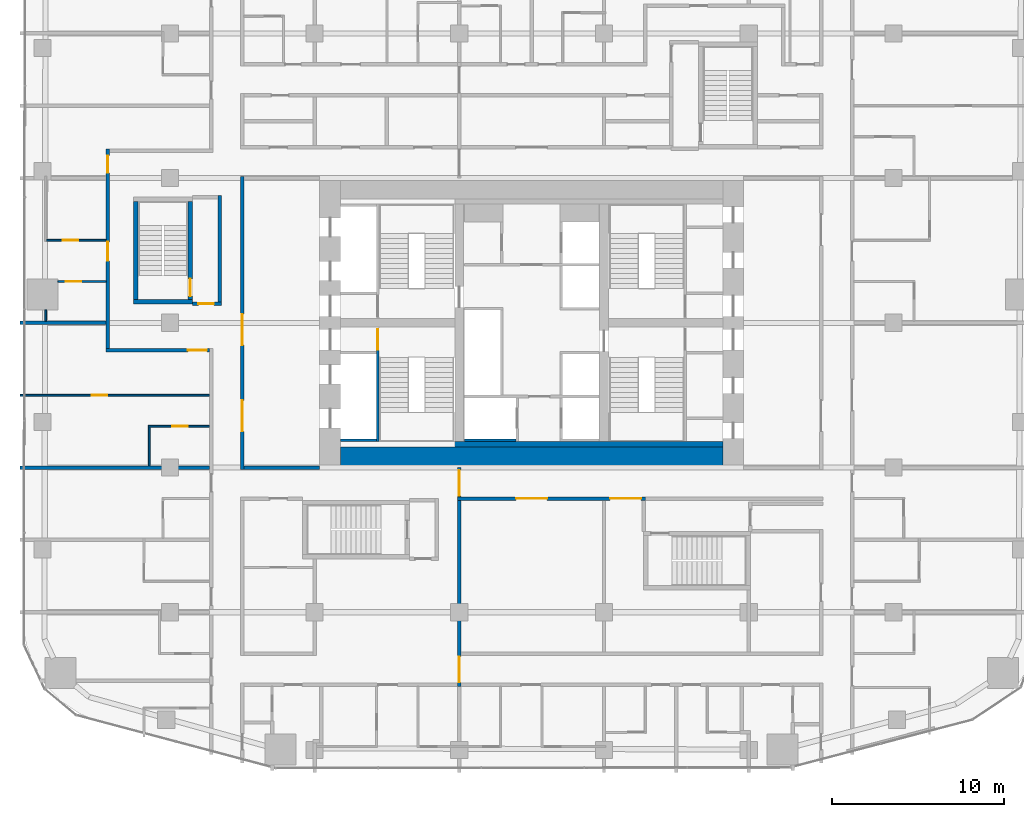
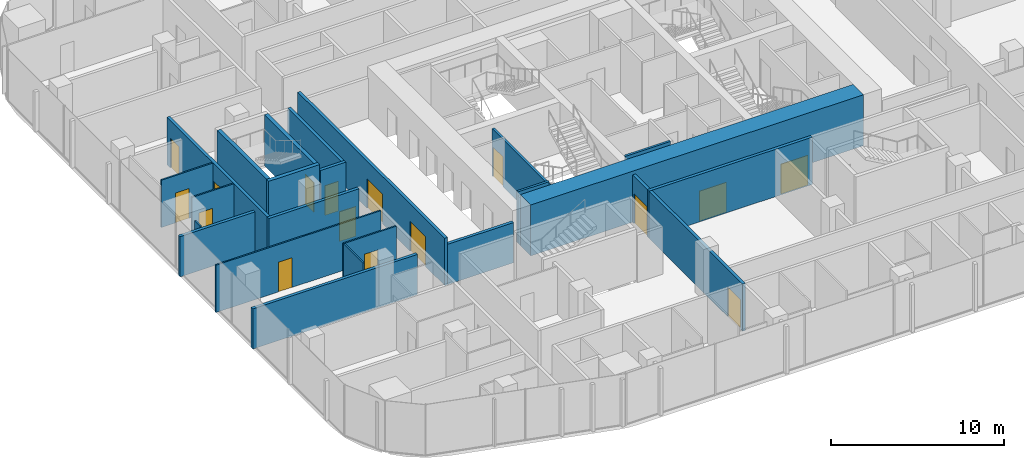
# One storey, part 17 of 26: 24 walls, 16 doors, 16 openings.
"""IFC4 building model written with IfcOpenShell, lengths in metres."""

from ifc_helpers import new_model, si_unit, direction, frame, frame_2d, origin, place, context, subcontext, project, spatial, rectangle, extrude, material, layer, layer_set, type_object, element, fill, save


model = new_model("IFC4")

# Units and contexts
model_context = context("Model", 3, precision=1e-05, world=origin(), true_north=direction((0.0, 1.0)))
body_context = subcontext(model_context, "Body", "Model", "MODEL_VIEW")
ifc_project = project(units=[si_unit("LENGTHUNIT", "METRE"), si_unit("AREAUNIT", "SQUARE_METRE"), si_unit("VOLUMEUNIT", "CUBIC_METRE"), si_unit("PLANEANGLEUNIT", "RADIAN"), si_unit("MASSUNIT", "GRAM", prefix="KILO")], contexts=[model_context])

# Site, building, storey
site_placement = place(None, origin())
site = spatial("IfcSite", under=ifc_project, at=site_placement, CompositionType="ELEMENT")
building_placement = place(site_placement, origin())
building = spatial("IfcBuilding", under=site, at=building_placement, Name="Marenta Gate Hotel Tower", CompositionType="ELEMENT")
storey_placement = place(building_placement, frame((0.0, 0.0, 72.5)))
storey = spatial("IfcBuildingStorey", under=building, at=storey_placement, Name="L16", CompositionType="ELEMENT", Elevation=72.5)

# Wall, openings, doors
ifc_material_1 = material(Name="Concrete blockwork", Category="masonry")
ifc_layer_1 = layer(ifc_material_1, 0.199951171875)
ifc_layer_set_1 = layer_set([ifc_layer_1], Name="Concrete blockwork")
wall_type_1 = type_object("IfcWallType", Name="Compartment wall 200 REI 180", PredefinedType="PARTITIONING", material=ifc_layer_set_1)
wall_1_placement = place(storey_placement, frame((-4.199951171875, -12.699951171875, 0.0), z_axis=(0.0, 0.0, 1.0), x_axis=(0.0, 1.0, 0.0)))
wall_1 = element("IfcWall", 1, at=wall_1_placement, inside=storey, type_object=wall_type_1, Name="L16-PTN-W078", PredefinedType="PARTITIONING", context=body_context, shape_type="SweptSolid", body=[
    extrude(rectangle(XDim=12.699951171875, YDim=0.199951171875, at=frame_2d((6.35009765625, 0.0))), origin(), (0.0, 0.0, 1.0), 3.340087890625),
])
opening_1_placement = place(wall_1_placement, frame((11.050048828125, 0.0, 0.0)))
opening_1 = element("IfcOpeningElement", 2, at=opening_1_placement, cuts=wall_1, Name="Opening G06-FD3", PredefinedType="OPENING", context=body_context, shape_type="SweptSolid", body=[
    extrude(rectangle(XDim=1.5, YDim=2.10009765625, at=frame_2d((0.75, 1.050048828125))), frame((0.0, 0.10009765625, 0.0), z_axis=(0.0, -1.0, 0.0), x_axis=(1.0, 0.0, 0.0)), (0.0, 0.0, 1.0), 0.199951171875),
])
opening_2_placement = place(wall_1_placement, frame((0.22509765625, 0.0, 0.0)))
opening_2 = element("IfcOpeningElement", 3, at=opening_2_placement, cuts=wall_1, Name="Opening G06-FD4", PredefinedType="OPENING", context=body_context, shape_type="SweptSolid", body=[
    extrude(rectangle(XDim=1.5, YDim=2.10009765625, at=frame_2d((0.75, 1.050048828125))), frame((0.0, 0.10009765625, 0.0), z_axis=(0.0, -1.0, 0.0), x_axis=(1.0, 0.0, 0.0)), (0.0, 0.0, 1.0), 0.199951171875),
])
ifc_material_2 = material(Name="Hollow steel door set", Category="steel")
door_type_1 = type_object("IfcDoorType", Name="Compartment fire door 1500x2100 EI 60", OperationType="DOUBLE_DOOR_DOUBLE_SWING", PredefinedType="DOOR", material=ifc_material_2)
door_1_placement = place(opening_1_placement, origin())
door_1 = element("IfcDoor", 4, at=door_1_placement, inside=storey, type_object=door_type_1, Name="L16-PD-FD03", OperationType="DOUBLE_DOOR_DOUBLE_SWING", OverallHeight=2.10009765625, OverallWidth=1.5, PredefinedType="DOOR", context=body_context, shape_type="SweptSolid", body=[
    extrude(rectangle(XDim=1.5, YDim=2.10009765625, at=frame_2d((0.75, 1.050048828125))), frame((0.0, 0.02490234375, 0.0), z_axis=(0.0, -1.0, 0.0), x_axis=(1.0, 0.0, 0.0)), (0.0, 0.0, 1.0), 0.050048828125),
])
fill(opening_1, door_1)
door_2_placement = place(opening_2_placement, origin())
door_2 = element("IfcDoor", 5, at=door_2_placement, inside=storey, type_object=door_type_1, Name="L16-PD-FD04", OperationType="DOUBLE_DOOR_DOUBLE_SWING", OverallHeight=2.10009765625, OverallWidth=1.5, PredefinedType="DOOR", context=body_context, shape_type="SweptSolid", body=[
    extrude(rectangle(XDim=1.5, YDim=2.10009765625, at=frame_2d((0.75, 1.050048828125))), frame((0.0, 0.02490234375, 0.0), z_axis=(0.0, -1.0, 0.0), x_axis=(1.0, 0.0, 0.0)), (0.0, 0.0, 1.0), 0.050048828125),
])
fill(opening_2, door_2)

ifc_material_3 = material(Name="Concrete blockwork", Category="masonry")
ifc_layer_2 = layer(ifc_material_3, 0.199951171875)
ifc_layer_set_2 = layer_set([ifc_layer_2], Name="Concrete blockwork")
wall_type_2 = type_object("IfcWallType", Name="Core boundary wall 200 REI 180", PredefinedType="PARTITIONING", material=ifc_layer_set_2)
wall_2_placement = place(storey_placement, frame((-16.800048828125, -0.10009765625, 0.0), z_axis=(0.0, 0.0, 1.0), x_axis=(0.0, 1.0, 0.0)))
wall_2 = element("IfcWall", 6, at=wall_2_placement, inside=storey, type_object=wall_type_2, Name="L16-CP-BW-W", PredefinedType="PARTITIONING", context=body_context, shape_type="SweptSolid", body=[
    extrude(rectangle(XDim=17.0, YDim=0.199951171875, at=frame_2d((8.5, 0.0))), origin(), (0.0, 0.0, 1.0), 3.340087890625),
])
opening_3_placement = place(wall_2_placement, frame((2.199951171875, 0.0, 0.0)))
opening_3 = element("IfcOpeningElement", 7, at=opening_3_placement, cuts=wall_2, Name="Opening ED-Wa-B", PredefinedType="OPENING", context=body_context, shape_type="SweptSolid", body=[
    extrude(rectangle(XDim=1.800048828125, YDim=2.10009765625, at=frame_2d((0.89990234375, 1.050048828125))), frame((0.0, 0.10009765625, 0.0), z_axis=(0.0, -1.0, 0.0), x_axis=(1.0, 0.0, 0.0)), (0.0, 0.0, 1.0), 0.199951171875),
])
opening_4_placement = place(wall_2_placement, frame((7.199951171875, 0.0, 0.0)))
opening_4 = element("IfcOpeningElement", 8, at=opening_4_placement, cuts=wall_2, Name="Opening ED-Wb-B", PredefinedType="OPENING", context=body_context, shape_type="SweptSolid", body=[
    extrude(rectangle(XDim=1.800048828125, YDim=2.10009765625, at=frame_2d((0.89990234375, 1.050048828125))), frame((0.0, 0.10009765625, 0.0), z_axis=(0.0, -1.0, 0.0), x_axis=(1.0, 0.0, 0.0)), (0.0, 0.0, 1.0), 0.199951171875),
])
ifc_material_4 = material(Name="Steel", Category="steel")
door_type_2 = type_object("IfcDoorType", Name="Core lobby entrance door 1800x2100 EI 60", OperationType="DOUBLE_DOOR_SINGLE_SWING", PredefinedType="DOOR", material=ifc_material_4)
door_3_placement = place(opening_3_placement, origin())
door_3 = element("IfcDoor", 9, at=door_3_placement, inside=storey, type_object=door_type_2, Name="ED-Wa-B", OperationType="DOUBLE_DOOR_SINGLE_SWING", OverallHeight=2.10009765625, OverallWidth=1.800048828125, PredefinedType="DOOR", context=body_context, shape_type="SweptSolid", body=[
    extrude(rectangle(XDim=1.800048828125, YDim=2.10009765625, at=frame_2d((0.89990234375, 1.050048828125))), frame((0.0, 0.02490234375, 0.0), z_axis=(0.0, -1.0, 0.0), x_axis=(1.0, 0.0, 0.0)), (0.0, 0.0, 1.0), 0.050048828125),
])
fill(opening_3, door_3)
door_4_placement = place(opening_4_placement, origin())
door_4 = element("IfcDoor", 10, at=door_4_placement, inside=storey, type_object=door_type_2, Name="ED-Wb-B", OperationType="DOUBLE_DOOR_SINGLE_SWING", OverallHeight=2.10009765625, OverallWidth=1.800048828125, PredefinedType="DOOR", context=body_context, shape_type="SweptSolid", body=[
    extrude(rectangle(XDim=1.800048828125, YDim=2.10009765625, at=frame_2d((0.89990234375, 1.050048828125))), frame((0.0, 0.02490234375, 0.0), z_axis=(0.0, -1.0, 0.0), x_axis=(1.0, 0.0, 0.0)), (0.0, 0.0, 1.0), 0.050048828125),
])
fill(opening_4, door_4)

# Walls
wall_3_placement = place(storey_placement, frame((-16.699951171875, 0.0, 0.0), z_axis=(0.0, 0.0, 1.0), x_axis=(1.0, 0.0, 0.0)))
element("IfcWall", 11, at=wall_3_placement, inside=storey, type_object=wall_type_2, Name="L16-CP-EW-WS", PredefinedType="PARTITIONING", context=body_context, shape_type="SweptSolid", body=[
    extrude(rectangle(XDim=4.39990234375, YDim=0.199951171875, at=frame_2d((2.199951171875, 0.0))), origin(), (0.0, 0.0, 1.0), 2.840087890625),
])
ifc_material_5 = material(Name="Concrete C40", Category="concrete")
ifc_layer_3 = layer(ifc_material_5, 0.300048828125)
ifc_layer_set_3 = layer_set([ifc_layer_3], Name="Concrete C40")
wall_type_3 = type_object("IfcWallType", Name="Core lining wall 300 REI 180", PredefinedType="PARTITIONING", material=ifc_layer_set_3)
wall_4_placement = place(storey_placement, frame((-11.10009765625, 1.35009765625, 0.0), z_axis=(0.0, 0.0, 1.0), x_axis=(1.0, 0.0, 0.0)))
element("IfcWall", 12, at=wall_4_placement, inside=storey, type_object=wall_type_3, Name="L16-CP-LN-S", PredefinedType="PARTITIONING", context=body_context, shape_type="SweptSolid", body=[
    extrude(rectangle(XDim=22.2001953125, YDim=0.300048828125, at=frame_2d((11.10009765625, 0.0))), origin(), (0.0, 0.0, 1.0), 3.340087890625),
])
ifc_material_6 = material(Name="Concrete C40", Category="concrete")
ifc_layer_4 = layer(ifc_material_6, 0.14990234375)
ifc_layer_set_4 = layer_set([ifc_layer_4], Name="Concrete C40")
wall_type_4 = type_object("IfcWallType", Name="Core shaft wall 150 REI 180", PredefinedType="SHEAR", material=ifc_layer_set_4)
wall_5_placement = place(storey_placement, frame((-11.10009765625, 1.574951171875, 0.0), z_axis=(0.0, 0.0, 1.0), x_axis=(1.0, 0.0, 0.0)))
element("IfcWall", 13, at=wall_5_placement, inside=storey, type_object=wall_type_4, Name="L16-SHF-SW-WS-5", PredefinedType="SHEAR", context=body_context, shape_type="SweptSolid", body=[
    extrude(rectangle(XDim=2.10009765625, YDim=0.14990234375, at=frame_2d((1.050048828125, 0.0))), origin(), (0.0, 0.0, 1.0), 3.60009765625),
])
wall_6_placement = place(storey_placement, frame((-3.89990234375, 1.574951171875, 0.0), z_axis=(0.0, 0.0, 1.0), x_axis=(1.0, 0.0, 0.0)))
element("IfcWall", 14, at=wall_6_placement, inside=storey, type_object=wall_type_4, Name="L16-SHF-CW-W-ffs", PredefinedType="SHEAR", context=body_context, shape_type="SweptSolid", body=[
    extrude(rectangle(XDim=3.0, YDim=0.14990234375, at=frame_2d((1.5, 0.0))), origin(), (0.0, 0.0, 1.0), 3.60009765625),
])

# Wall, opening, door
ifc_material_7 = material(Name="Concrete C40", Category="concrete")
ifc_layer_5 = layer(ifc_material_7, 0.14990234375)
ifc_layer_set_5 = layer_set([ifc_layer_5], Name="Concrete C40")
wall_type_5 = type_object("IfcWallType", Name="Core stair enclosure wall 150 REI 180", PredefinedType="SHEAR", material=ifc_layer_set_5)
wall_7_placement = place(storey_placement, frame((-8.925048828125, 1.5, 0.0), z_axis=(0.0, 0.0, 1.0), x_axis=(0.0, 1.0, 0.0)))
wall_7 = element("IfcWall", 15, at=wall_7_placement, inside=storey, type_object=wall_type_5, Name="L16-SHF-SW-WS-3", PredefinedType="SHEAR", context=body_context, shape_type="SweptSolid", body=[
    extrude(rectangle(XDim=6.60009765625, YDim=0.14990234375, at=frame_2d((3.300048828125, 0.0))), origin(), (0.0, 0.0, 1.0), 3.340087890625),
])
opening_5_placement = place(wall_7_placement, frame((5.324951171875, 0.0, 0.0)))
opening_5 = element("IfcOpeningElement", 16, at=opening_5_placement, cuts=wall_7, Name="Opening SD-WS", PredefinedType="OPENING", context=body_context, shape_type="SweptSolid", body=[
    extrude(rectangle(XDim=1.199951171875, YDim=2.10009765625, at=frame_2d((0.60009765625, 1.050048828125))), frame((0.0, 0.074951171875, 0.0), z_axis=(0.0, -1.0, 0.0), x_axis=(1.0, 0.0, 0.0)), (0.0, 0.0, 1.0), 0.14990234375),
])
ifc_material_8 = material(Name="Steel", Category="steel")
door_type_3 = type_object("IfcDoorType", Name="Core stair door 1200x2100 FD60", OperationType="SINGLE_SWING_LEFT", PredefinedType="DOOR", material=ifc_material_8)
door_5_placement = place(opening_5_placement, origin())
door_5 = element("IfcDoor", 17, at=door_5_placement, inside=storey, type_object=door_type_3, Name="SD-WS", OperationType="SINGLE_SWING_LEFT", OverallHeight=2.10009765625, OverallWidth=1.199951171875, PredefinedType="DOOR", context=body_context, shape_type="SweptSolid", body=[
    extrude(rectangle(XDim=1.199951171875, YDim=2.10009765625, at=frame_2d((0.60009765625, 1.050048828125))), frame((0.0, 0.02490234375, 0.0), z_axis=(0.0, -1.0, 0.0), x_axis=(1.0, 0.0, 0.0)), (0.0, 0.0, 1.0), 0.050048828125),
])
fill(opening_5, door_5)

# Walls
ifc_material_9 = material(Name="Concrete C80", Category="concrete")
ifc_layer_6 = layer(ifc_material_9, 1.199951171875)
ifc_layer_set_6 = layer_set([ifc_layer_6], Name="Concrete C80")
wall_type_6 = type_object("IfcWallType", Name="Core wall 1200 C80", PredefinedType="SHEAR", material=ifc_layer_set_6)
wall_8_placement = place(storey_placement, frame((-11.10009765625, 0.60009765625, 0.0), z_axis=(0.0, 0.0, 1.0), x_axis=(1.0, 0.0, 0.0)))
element("IfcWall", 18, at=wall_8_placement, inside=storey, type_object=wall_type_6, Name="L16-CORE-S", PredefinedType="SHEAR", context=body_context, shape_type="SweptSolid", body=[
    extrude(rectangle(XDim=22.2001953125, YDim=1.199951171875, at=frame_2d((11.10009765625, 0.0))), origin(), (0.0, 0.0, 1.0), 3.60009765625),
])
ifc_material_10 = material(Name="Concrete C40", Category="concrete")
ifc_layer_7 = layer(ifc_material_10, 0.25)
ifc_layer_set_7 = layer_set([ifc_layer_7], Name="Concrete C40")
wall_type_7 = type_object("IfcWallType", Name="Remote stair enclosure wall 250 REI 180", PredefinedType="SHEAR", material=ifc_layer_set_7)
wall_9_placement = place(storey_placement, frame((-23.10009765625, 9.625, 0.10009765625), z_axis=(0.0, 0.0, 1.0), x_axis=(1.0, 0.0, 0.0)))
element("IfcWall", 19, at=wall_9_placement, inside=storey, type_object=wall_type_7, Name="L16-RS-Z1-3-W1", PredefinedType="SHEAR", context=body_context, shape_type="SweptSolid", body=[
    extrude(rectangle(XDim=3.400146484375, YDim=0.25, at=frame_2d((1.7001953125, 0.0))), origin(), (0.0, 0.0, 1.0), 3.599853515625),
])
wall_10_placement = place(storey_placement, frame((-22.97509765625, 9.75, 0.10009765625), z_axis=(0.0, 0.0, 1.0), x_axis=(0.0, 1.0, 0.0)))
element("IfcWall", 20, at=wall_10_placement, inside=storey, type_object=wall_type_7, Name="L16-RS-Z1-3-W3", PredefinedType="SHEAR", context=body_context, shape_type="SweptSolid", body=[
    extrude(rectangle(XDim=5.699951171875, YDim=0.25, at=frame_2d((2.85009765625, 0.0))), origin(), (0.0, 0.0, 1.0), 3.599853515625),
])

# Wall, opening, door
wall_11_placement = place(storey_placement, frame((-19.824951171875, 9.75, 0.10009765625), z_axis=(0.0, 0.0, 1.0), x_axis=(0.0, 1.0, 0.0)))
wall_11 = element("IfcWall", 21, at=wall_11_placement, inside=storey, type_object=wall_type_7, Name="L16-RS-Z1-3-W4", PredefinedType="SHEAR", context=body_context, shape_type="SweptSolid", body=[
    extrude(rectangle(XDim=5.699951171875, YDim=0.25, at=frame_2d((2.85009765625, 0.0))), origin(), (0.0, 0.0, 1.0), 3.599853515625),
])
opening_6_placement = place(wall_11_placement, frame((0.199951171875, 0.0, 0.0)))
opening_6 = element("IfcOpeningElement", 22, at=opening_6_placement, cuts=wall_11, Name="Opening VD", PredefinedType="OPENING", context=body_context, shape_type="SweptSolid", body=[
    extrude(rectangle(XDim=1.0, YDim=2.10009765625, at=frame_2d((0.5, 1.050048828125))), frame((0.0, 0.125, 0.0), z_axis=(0.0, -1.0, 0.0), x_axis=(1.0, 0.0, 0.0)), (0.0, 0.0, 1.0), 0.25),
])
ifc_material_11 = material(Name="Steel", Category="steel")
door_type_4 = type_object("IfcDoorType", Name="Stair vestibule door 1000x2100 FD60", OperationType="SINGLE_SWING_LEFT", PredefinedType="DOOR", material=ifc_material_11)
door_6_placement = place(opening_6_placement, origin())
door_6 = element("IfcDoor", 23, at=door_6_placement, inside=storey, type_object=door_type_4, Name="VD", OperationType="SINGLE_SWING_LEFT", OverallHeight=2.10009765625, OverallWidth=1.0, PredefinedType="DOOR", context=body_context, shape_type="SweptSolid", body=[
    extrude(rectangle(XDim=1.0, YDim=2.10009765625, at=frame_2d((0.5, 1.050048828125))), frame((0.0, 0.02490234375, 0.0), z_axis=(0.0, -1.0, 0.0), x_axis=(1.0, 0.0, 0.0)), (0.0, 0.0, 1.0), 0.050048828125),
])
fill(opening_6, door_6)

# Wall, openings, doors
ifc_material_12 = material(Name="Gypsum board on steel stud", Category="steel")
ifc_layer_8 = layer(ifc_material_12, 0.199951171875)
ifc_layer_set_8 = layer_set([ifc_layer_8], Name="Gypsum board on steel stud")
wall_type_8 = type_object("IfcWallType", Name="Room corridor wall 200 EI 60", PredefinedType="PARTITIONING", material=ifc_layer_set_8)
wall_12_placement = place(storey_placement, frame((-4.300048828125, -1.800048828125, 0.0), z_axis=(0.0, 0.0, 1.0), x_axis=(1.0, 0.0, 0.0)))
wall_12 = element("IfcWall", 24, at=wall_12_placement, inside=storey, type_object=wall_type_8, Name="L16-PTN-W066", PredefinedType="PARTITIONING", context=body_context, shape_type="SweptSolid", body=[
    extrude(rectangle(XDim=10.900146484375, YDim=0.199951171875, at=frame_2d((5.4501953125, 0.0))), origin(), (0.0, 0.0, 1.0), 3.340087890625),
])
opening_7_placement = place(wall_12_placement, frame((3.39990234375, 0.0, 0.0)))
opening_7 = element("IfcOpeningElement", 25, at=opening_7_placement, cuts=wall_12, Name="Opening G06-04", PredefinedType="OPENING", context=body_context, shape_type="SweptSolid", body=[
    extrude(rectangle(XDim=1.800048828125, YDim=2.10009765625, at=frame_2d((0.89990234375, 1.050048828125))), frame((0.0, 0.10009765625, 0.0), z_axis=(0.0, -1.0, 0.0), x_axis=(1.0, 0.0, 0.0)), (0.0, 0.0, 1.0), 0.199951171875),
])
opening_8_placement = place(wall_12_placement, frame((8.85009765625, 0.0, 0.0)))
opening_8 = element("IfcOpeningElement", 26, at=opening_8_placement, cuts=wall_12, Name="Opening G06-05", PredefinedType="OPENING", context=body_context, shape_type="SweptSolid", body=[
    extrude(rectangle(XDim=1.800048828125, YDim=2.10009765625, at=frame_2d((0.89990234375, 1.050048828125))), frame((0.0, 0.10009765625, 0.0), z_axis=(0.0, -1.0, 0.0), x_axis=(1.0, 0.0, 0.0)), (0.0, 0.0, 1.0), 0.199951171875),
])
ifc_material_13 = material(Name="Timber door leaf", Category="wood")
door_type_5 = type_object("IfcDoorType", Name="Room amenity door 1800x2100 EI 30", OperationType="DOUBLE_DOOR_SINGLE_SWING", PredefinedType="DOOR", material=ifc_material_13)
door_7_placement = place(opening_7_placement, origin())
door_7 = element("IfcDoor", 27, at=door_7_placement, inside=storey, type_object=door_type_5, Name="L16-PD-D004", OperationType="DOUBLE_DOOR_SINGLE_SWING", OverallHeight=2.10009765625, OverallWidth=1.800048828125, PredefinedType="DOOR", context=body_context, shape_type="SweptSolid", body=[
    extrude(rectangle(XDim=1.800048828125, YDim=2.10009765625, at=frame_2d((0.89990234375, 1.050048828125))), frame((0.0, 0.02490234375, 0.0), z_axis=(0.0, -1.0, 0.0), x_axis=(1.0, 0.0, 0.0)), (0.0, 0.0, 1.0), 0.050048828125),
])
fill(opening_7, door_7)
door_8_placement = place(opening_8_placement, origin())
door_8 = element("IfcDoor", 28, at=door_8_placement, inside=storey, type_object=door_type_5, Name="L16-PD-D005", OperationType="DOUBLE_DOOR_SINGLE_SWING", OverallHeight=2.10009765625, OverallWidth=1.800048828125, PredefinedType="DOOR", context=body_context, shape_type="SweptSolid", body=[
    extrude(rectangle(XDim=1.800048828125, YDim=2.10009765625, at=frame_2d((0.89990234375, 1.050048828125))), frame((0.0, 0.02490234375, 0.0), z_axis=(0.0, -1.0, 0.0), x_axis=(1.0, 0.0, 0.0)), (0.0, 0.0, 1.0), 0.050048828125),
])
fill(opening_8, door_8)

# Wall, opening, door
wall_13_placement = place(storey_placement, frame((-24.699951171875, 6.800048828125, 0.0), z_axis=(0.0, 0.0, 1.0), x_axis=(1.0, 0.0, 0.0)))
wall_13 = element("IfcWall", 29, at=wall_13_placement, inside=storey, type_object=wall_type_8, Name="L16-PTN-W083", PredefinedType="PARTITIONING", context=body_context, shape_type="SweptSolid", body=[
    extrude(rectangle(XDim=6.0, YDim=0.199951171875, at=frame_2d((3.0, 0.0))), origin(), (0.0, 0.0, 1.0), 3.340087890625),
])
opening_9_placement = place(wall_13_placement, frame((4.75, 0.0, 0.0)))
opening_9 = element("IfcOpeningElement", 30, at=opening_9_placement, cuts=wall_13, Name="Opening G06-50", PredefinedType="OPENING", context=body_context, shape_type="SweptSolid", body=[
    extrude(rectangle(XDim=1.10009765625, YDim=2.10009765625, at=frame_2d((0.550048828125, 1.050048828125))), frame((0.0, 0.10009765625, 0.0), z_axis=(0.0, -1.0, 0.0), x_axis=(1.0, 0.0, 0.0)), (0.0, 0.0, 1.0), 0.199951171875),
])
ifc_material_14 = material(Name="Timber door leaf", Category="wood")
door_type_6 = type_object("IfcDoorType", Name="Guest room door 1100x2100 EI 30", OperationType="NOTDEFINED", PredefinedType="DOOR", material=ifc_material_14)
door_9_placement = place(opening_9_placement, origin())
door_9 = element("IfcDoor", 31, at=door_9_placement, inside=storey, type_object=door_type_6, Name="L16-PD-D050", OperationType="SINGLE_SWING_LEFT", OverallHeight=2.10009765625, OverallWidth=1.10009765625, PredefinedType="DOOR", context=body_context, shape_type="SweptSolid", body=[
    extrude(rectangle(XDim=1.10009765625, YDim=2.10009765625, at=frame_2d((0.550048828125, 1.050048828125))), frame((0.0, 0.02490234375, 0.0), z_axis=(0.0, -1.0, 0.0), x_axis=(1.0, 0.0, 0.0)), (0.0, 0.0, 1.0), 0.050048828125),
])
fill(opening_9, door_9)

# Wall, openings, doors
wall_14_placement = place(storey_placement, frame((-24.60009765625, 6.89990234375, 0.0), z_axis=(0.0, 0.0, 1.0), x_axis=(0.0, 1.0, 0.0)))
wall_14 = element("IfcWall", 32, at=wall_14_placement, inside=storey, type_object=wall_type_8, Name="L16-PTN-W134", PredefinedType="PARTITIONING", context=body_context, shape_type="SweptSolid", body=[
    extrude(rectangle(XDim=11.60009765625, YDim=0.199951171875, at=frame_2d((5.800048828125, 0.0))), origin(), (0.0, 0.0, 1.0), 3.340087890625),
])
opening_10_placement = place(wall_14_placement, frame((5.10009765625, 0.0, 0.0)))
opening_10 = element("IfcOpeningElement", 33, at=opening_10_placement, cuts=wall_14, Name="Opening G06-53", PredefinedType="OPENING", context=body_context, shape_type="SweptSolid", body=[
    extrude(rectangle(XDim=1.10009765625, YDim=2.10009765625, at=frame_2d((0.550048828125, 1.050048828125))), frame((0.0, 0.10009765625, 0.0), z_axis=(0.0, -1.0, 0.0), x_axis=(1.0, 0.0, 0.0)), (0.0, 0.0, 1.0), 0.199951171875),
])
opening_11_placement = place(wall_14_placement, frame((10.199951171875, 0.0, 0.0)))
opening_11 = element("IfcOpeningElement", 34, at=opening_11_placement, cuts=wall_14, Name="Opening G06-66", PredefinedType="OPENING", context=body_context, shape_type="SweptSolid", body=[
    extrude(rectangle(XDim=1.0, YDim=2.10009765625, at=frame_2d((0.5, 1.050048828125))), frame((0.0, 0.10009765625, 0.0), z_axis=(0.0, -1.0, 0.0), x_axis=(1.0, 0.0, 0.0)), (0.0, 0.0, 1.0), 0.199951171875),
])
door_10_placement = place(opening_10_placement, origin())
door_10 = element("IfcDoor", 35, at=door_10_placement, inside=storey, type_object=door_type_6, Name="L16-PD-D053", OperationType="SINGLE_SWING_RIGHT", OverallHeight=2.10009765625, OverallWidth=1.10009765625, PredefinedType="DOOR", context=body_context, shape_type="SweptSolid", body=[
    extrude(rectangle(XDim=1.10009765625, YDim=2.10009765625, at=frame_2d((0.550048828125, 1.050048828125))), frame((0.0, 0.02490234375, 0.0), z_axis=(0.0, -1.0, 0.0), x_axis=(1.0, 0.0, 0.0)), (0.0, 0.0, 1.0), 0.050048828125),
])
fill(opening_10, door_10)
ifc_material_15 = material(Name="Timber door leaf", Category="wood")
door_type_7 = type_object("IfcDoorType", Name="Room amenity door 1000x2100 EI 30", OperationType="NOTDEFINED", PredefinedType="DOOR", material=ifc_material_15)
door_11_placement = place(opening_11_placement, origin())
door_11 = element("IfcDoor", 36, at=door_11_placement, inside=storey, type_object=door_type_7, Name="L16-PD-D066", OperationType="SINGLE_SWING_RIGHT", OverallHeight=2.10009765625, OverallWidth=1.0, PredefinedType="DOOR", context=body_context, shape_type="SweptSolid", body=[
    extrude(rectangle(XDim=1.0, YDim=2.10009765625, at=frame_2d((0.5, 1.050048828125))), frame((0.0, 0.02490234375, 0.0), z_axis=(0.0, -1.0, 0.0), x_axis=(1.0, 0.0, 0.0)), (0.0, 0.0, 1.0), 0.050048828125),
])
fill(opening_11, door_11)

# Wall, opening, door
ifc_material_16 = material(Name="Concrete blockwork", Category="masonry")
ifc_layer_9 = layer(ifc_material_16, 0.199951171875)
ifc_layer_set_9 = layer_set([ifc_layer_9], Name="Concrete blockwork")
wall_type_9 = type_object("IfcWallType", Name="Room corridor wall 200 REI 180", PredefinedType="PARTITIONING", material=ifc_layer_set_9)
wall_15_placement = place(storey_placement, frame((-19.699951171875, 9.5, 0.0), z_axis=(0.0, 0.0, 1.0), x_axis=(1.0, 0.0, 0.0)))
wall_15 = element("IfcWall", 37, at=wall_15_placement, inside=storey, type_object=wall_type_9, Name="L16-PTN-W089", PredefinedType="PARTITIONING", context=body_context, shape_type="SweptSolid", body=[
    extrude(rectangle(XDim=1.699951171875, YDim=0.199951171875, at=frame_2d((0.85009765625, 0.0))), origin(), (0.0, 0.0, 1.0), 3.340087890625),
])
opening_12_placement = place(wall_15_placement, frame((0.35009765625, 0.0, 0.0)))
opening_12 = element("IfcOpeningElement", 38, at=opening_12_placement, cuts=wall_15, Name="Opening G06-63", PredefinedType="OPENING", context=body_context, shape_type="SweptSolid", body=[
    extrude(rectangle(XDim=0.89990234375, YDim=2.10009765625, at=frame_2d((0.449951171875, 1.050048828125))), frame((0.0, 0.10009765625, 0.0), z_axis=(0.0, -1.0, 0.0), x_axis=(1.0, 0.0, 0.0)), (0.0, 0.0, 1.0), 0.199951171875),
])
ifc_material_17 = material(Name="Hollow steel door set", Category="steel")
door_type_8 = type_object("IfcDoorType", Name="Stair vestibule door 900x2100 EI 60", OperationType="NOTDEFINED", PredefinedType="DOOR", material=ifc_material_17)
door_12_placement = place(opening_12_placement, origin())
door_12 = element("IfcDoor", 39, at=door_12_placement, inside=storey, type_object=door_type_8, Name="L16-PD-D063", OperationType="SINGLE_SWING_RIGHT", OverallHeight=2.10009765625, OverallWidth=0.89990234375, PredefinedType="DOOR", context=body_context, shape_type="SweptSolid", body=[
    extrude(rectangle(XDim=0.89990234375, YDim=2.10009765625, at=frame_2d((0.449951171875, 1.050048828125))), frame((0.0, 0.02490234375, 0.0), z_axis=(0.0, -1.0, 0.0), x_axis=(1.0, 0.0, 0.0)), (0.0, 0.0, 1.0), 0.050048828125),
])
fill(opening_12, door_12)

# Wall
wall_16_placement = place(storey_placement, frame((-18.10009765625, 9.60009765625, 0.0), z_axis=(0.0, 0.0, 1.0), x_axis=(0.0, 1.0, 0.0)))
element("IfcWall", 40, at=wall_16_placement, inside=storey, type_object=wall_type_9, Name="L16-PTN-W109", PredefinedType="PARTITIONING", context=body_context, shape_type="SweptSolid", body=[
    extrude(rectangle(XDim=6.199951171875, YDim=0.199951171875, at=frame_2d((3.10009765625, 0.0))), origin(), (0.0, 0.0, 1.0), 3.340087890625),
])

# Wall, opening, door
ifc_material_18 = material(Name="Gypsum board on steel stud", Category="steel")
ifc_layer_10 = layer(ifc_material_18, 0.10009765625)
ifc_layer_set_10 = layer_set([ifc_layer_10], Name="Gypsum board on steel stud")
wall_type_10 = type_object("IfcWallType", Name="Room partition 100", PredefinedType="PARTITIONING", material=ifc_layer_set_10)
wall_17_placement = place(storey_placement, frame((-22.25, 2.39990234375, 0.0), z_axis=(0.0, 0.0, 1.0), x_axis=(1.0, 0.0, 0.0)))
wall_17 = element("IfcWall", 41, at=wall_17_placement, inside=storey, type_object=wall_type_10, Name="L16-PTN-W074", PredefinedType="PARTITIONING", context=body_context, shape_type="SweptSolid", body=[
    extrude(rectangle(XDim=3.550048828125, YDim=0.10009765625, at=frame_2d((1.77490234375, 0.0))), origin(), (0.0, 0.0, 1.0), 3.340087890625),
])
opening_13_placement = place(wall_17_placement, frame((1.39990234375, 0.0, 0.0)))
opening_13 = element("IfcOpeningElement", 42, at=opening_13_placement, cuts=wall_17, Name="Opening G06-52", PredefinedType="OPENING", context=body_context, shape_type="SweptSolid", body=[
    extrude(rectangle(XDim=0.89990234375, YDim=2.10009765625, at=frame_2d((0.449951171875, 1.050048828125))), frame((0.0, 0.050048828125, 0.0), z_axis=(0.0, -1.0, 0.0), x_axis=(1.0, 0.0, 0.0)), (0.0, 0.0, 1.0), 0.10009765625),
])
ifc_material_19 = material(Name="Timber door leaf", Category="wood")
door_type_9 = type_object("IfcDoorType", Name="Guest bathroom door 900x2100", OperationType="NOTDEFINED", PredefinedType="DOOR", material=ifc_material_19)
door_13_placement = place(opening_13_placement, origin())
door_13 = element("IfcDoor", 43, at=door_13_placement, inside=storey, type_object=door_type_9, Name="L16-PD-D052", OperationType="SINGLE_SWING_LEFT", OverallHeight=2.10009765625, OverallWidth=0.89990234375, PredefinedType="DOOR", context=body_context, shape_type="SweptSolid", body=[
    extrude(rectangle(XDim=0.89990234375, YDim=2.10009765625, at=frame_2d((0.449951171875, 1.050048828125))), frame((0.0, 0.02490234375, 0.0), z_axis=(0.0, -1.0, 0.0), x_axis=(1.0, 0.0, 0.0)), (0.0, 0.0, 1.0), 0.050048828125),
])
fill(opening_13, door_13)

wall_18_placement = place(storey_placement, frame((-29.699951171875, 4.199951171875, 0.0), z_axis=(0.0, 0.0, 1.0), x_axis=(1.0, 0.0, 0.0)))
wall_18 = element("IfcWall", 44, at=wall_18_placement, inside=storey, type_object=wall_type_10, Name="L16-PTN-W079", PredefinedType="PARTITIONING", context=body_context, shape_type="SweptSolid", body=[
    extrude(rectangle(XDim=11.0, YDim=0.10009765625, at=frame_2d((5.5, 0.0))), origin(), (0.0, 0.0, 1.0), 3.340087890625),
])
opening_14_placement = place(wall_18_placement, frame((4.169921875, 0.0, 0.0)))
opening_14 = element("IfcOpeningElement", 45, at=opening_14_placement, cuts=wall_18, Name="Opening G06-51", PredefinedType="OPENING", context=body_context, shape_type="SweptSolid", body=[
    extrude(rectangle(XDim=0.89990234375, YDim=2.10009765625, at=frame_2d((0.449951171875, 1.050048828125))), frame((0.0, 0.050048828125, 0.0), z_axis=(0.0, -1.0, 0.0), x_axis=(1.0, 0.0, 0.0)), (0.0, 0.0, 1.0), 0.10009765625),
])
ifc_material_20 = material(Name="Timber door leaf", Category="wood")
door_type_10 = type_object("IfcDoorType", Name="Room inner door 900x2100", OperationType="NOTDEFINED", PredefinedType="DOOR", material=ifc_material_20)
door_14_placement = place(opening_14_placement, origin())
door_14 = element("IfcDoor", 46, at=door_14_placement, inside=storey, type_object=door_type_10, Name="L16-PD-D051", OperationType="SINGLE_SWING_LEFT", OverallHeight=2.10009765625, OverallWidth=0.89990234375, PredefinedType="DOOR", context=body_context, shape_type="SweptSolid", body=[
    extrude(rectangle(XDim=0.89990234375, YDim=2.10009765625, at=frame_2d((0.449951171875, 1.050048828125))), frame((0.0, 0.02490234375, 0.0), z_axis=(0.0, -1.0, 0.0), x_axis=(1.0, 0.0, 0.0)), (0.0, 0.0, 1.0), 0.050048828125),
])
fill(opening_14, door_14)

wall_19_placement = place(storey_placement, frame((-27.5, 10.800048828125, 0.0), z_axis=(0.0, 0.0, 1.0), x_axis=(1.0, 0.0, 0.0)))
wall_19 = element("IfcWall", 47, at=wall_19_placement, inside=storey, type_object=wall_type_10, Name="L16-PTN-W090", PredefinedType="PARTITIONING", context=body_context, shape_type="SweptSolid", body=[
    extrude(rectangle(XDim=2.800048828125, YDim=0.10009765625, at=frame_2d((1.39990234375, 0.0))), origin(), (0.0, 0.0, 1.0), 3.340087890625),
])
opening_15_placement = place(wall_19_placement, frame((0.469970703125, 0.0, 0.0)))
opening_15 = element("IfcOpeningElement", 48, at=opening_15_placement, cuts=wall_19, Name="Opening G06-55", PredefinedType="OPENING", context=body_context, shape_type="SweptSolid", body=[
    extrude(rectangle(XDim=0.89990234375, YDim=2.10009765625, at=frame_2d((0.449951171875, 1.050048828125))), frame((0.0, 0.050048828125, 0.0), z_axis=(0.0, -1.0, 0.0), x_axis=(1.0, 0.0, 0.0)), (0.0, 0.0, 1.0), 0.10009765625),
])
door_15_placement = place(opening_15_placement, origin())
door_15 = element("IfcDoor", 49, at=door_15_placement, inside=storey, type_object=door_type_10, Name="L16-PD-D055", OperationType="SINGLE_SWING_RIGHT", OverallHeight=2.10009765625, OverallWidth=0.89990234375, PredefinedType="DOOR", context=body_context, shape_type="SweptSolid", body=[
    extrude(rectangle(XDim=0.89990234375, YDim=2.10009765625, at=frame_2d((0.449951171875, 1.050048828125))), frame((0.0, 0.02490234375, 0.0), z_axis=(0.0, -1.0, 0.0), x_axis=(1.0, 0.0, 0.0)), (0.0, 0.0, 1.0), 0.050048828125),
])
fill(opening_15, door_15)

wall_20_placement = place(storey_placement, frame((-28.14990234375, 13.199951171875, 0.0), z_axis=(0.0, 0.0, 1.0), x_axis=(1.0, 0.0, 0.0)))
wall_20 = element("IfcWall", 50, at=wall_20_placement, inside=storey, type_object=wall_type_10, Name="L16-PTN-W097", PredefinedType="PARTITIONING", context=body_context, shape_type="SweptSolid", body=[
    extrude(rectangle(XDim=3.449951171875, YDim=0.10009765625, at=frame_2d((1.72509765625, 0.0))), origin(), (0.0, 0.0, 1.0), 3.340087890625),
])
opening_16_placement = place(wall_20_placement, frame((0.93994140625, 0.0, 0.0)))
opening_16 = element("IfcOpeningElement", 51, at=opening_16_placement, cuts=wall_20, Name="Opening G06-54", PredefinedType="OPENING", context=body_context, shape_type="SweptSolid", body=[
    extrude(rectangle(XDim=0.89990234375, YDim=2.10009765625, at=frame_2d((0.449951171875, 1.050048828125))), frame((0.0, 0.050048828125, 0.0), z_axis=(0.0, -1.0, 0.0), x_axis=(1.0, 0.0, 0.0)), (0.0, 0.0, 1.0), 0.10009765625),
])
door_16_placement = place(opening_16_placement, origin())
door_16 = element("IfcDoor", 52, at=door_16_placement, inside=storey, type_object=door_type_9, Name="L16-PD-D054", OperationType="SINGLE_SWING_LEFT", OverallHeight=2.10009765625, OverallWidth=0.89990234375, PredefinedType="DOOR", context=body_context, shape_type="SweptSolid", body=[
    extrude(rectangle(XDim=0.89990234375, YDim=2.10009765625, at=frame_2d((0.449951171875, 1.050048828125))), frame((0.0, 0.02490234375, 0.0), z_axis=(0.0, -1.0, 0.0), x_axis=(1.0, 0.0, 0.0)), (0.0, 0.0, 1.0), 0.050048828125),
])
fill(opening_16, door_16)

# Walls
wall_21_placement = place(storey_placement, frame((-22.199951171875, 0.10009765625, 0.0), z_axis=(0.0, 0.0, 1.0), x_axis=(0.0, 1.0, 0.0)))
element("IfcWall", 53, at=wall_21_placement, inside=storey, type_object=wall_type_10, Name="L16-PTN-W127", PredefinedType="PARTITIONING", context=body_context, shape_type="SweptSolid", body=[
    extrude(rectangle(XDim=2.25, YDim=0.10009765625, at=frame_2d((1.125, 0.0))), origin(), (0.0, 0.0, 1.0), 3.340087890625),
])
wall_22_placement = place(storey_placement, frame((-28.199951171875, 8.5, 0.0), z_axis=(0.0, 0.0, 1.0), x_axis=(0.0, 1.0, 0.0)))
element("IfcWall", 54, at=wall_22_placement, inside=storey, type_object=wall_type_10, Name="L16-PTN-W144", PredefinedType="PARTITIONING", context=body_context, shape_type="SweptSolid", body=[
    extrude(rectangle(XDim=0.64990234375, YDim=0.10009765625, at=frame_2d((0.324951171875, 0.0))), origin(), (0.0, 0.0, 1.0), 2.93994140625),
])
ifc_material_21 = material(Name="Gypsum board on steel stud", Category="steel")
ifc_layer_11 = layer(ifc_material_21, 0.199951171875)
ifc_layer_set_11 = layer_set([ifc_layer_11], Name="Gypsum board on steel stud")
wall_type_11 = type_object("IfcWallType", Name="Room party wall 200 EI 60", PredefinedType="PARTITIONING", material=ifc_layer_set_11)
wall_23_placement = place(storey_placement, frame((-29.699951171875, 0.0, 0.0), z_axis=(0.0, 0.0, 1.0), x_axis=(1.0, 0.0, 0.0)))
element("IfcWall", 55, at=wall_23_placement, inside=storey, type_object=wall_type_11, Name="L16-PTN-W070", PredefinedType="PARTITIONING", context=body_context, shape_type="SweptSolid", body=[
    extrude(rectangle(XDim=11.0, YDim=0.199951171875, at=frame_2d((5.5, 0.0))), origin(), (0.0, 0.0, 1.0), 2.840087890625),
])
wall_24_placement = place(storey_placement, frame((-29.699951171875, 8.39990234375, 0.0), z_axis=(0.0, 0.0, 1.0), x_axis=(1.0, 0.0, 0.0)))
element("IfcWall", 56, at=wall_24_placement, inside=storey, type_object=wall_type_11, Name="L16-PTN-W086", PredefinedType="PARTITIONING", context=body_context, shape_type="SweptSolid", body=[
    extrude(rectangle(XDim=5.0, YDim=0.199951171875, at=frame_2d((2.5, 0.0))), origin(), (0.0, 0.0, 1.0), 2.840087890625),
])

save(model, "model.ifc")
